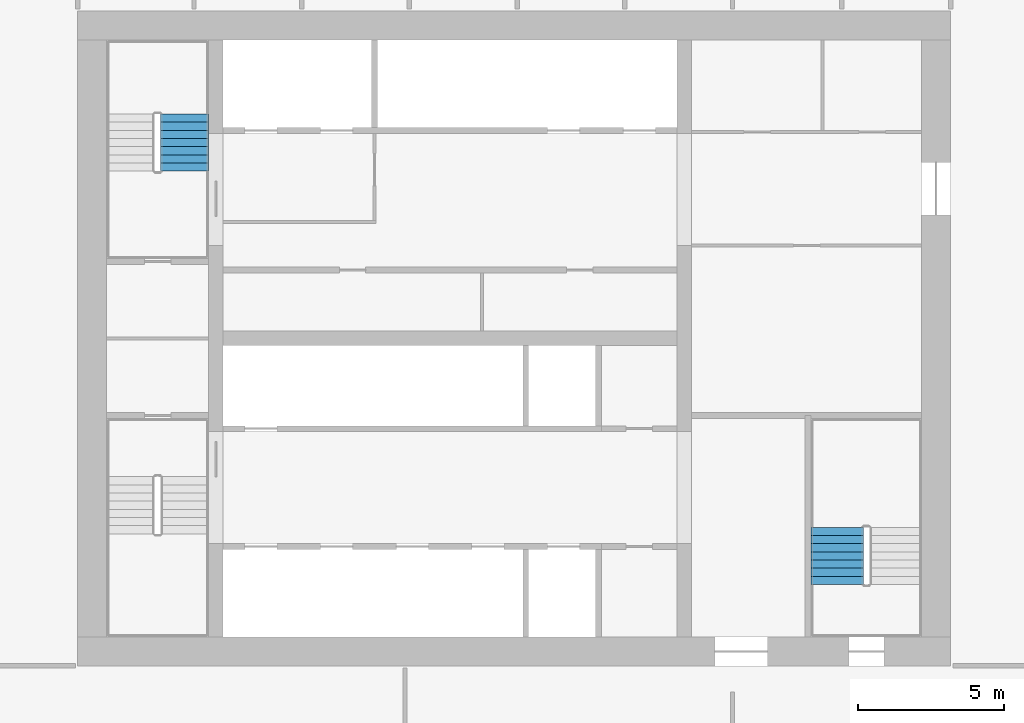
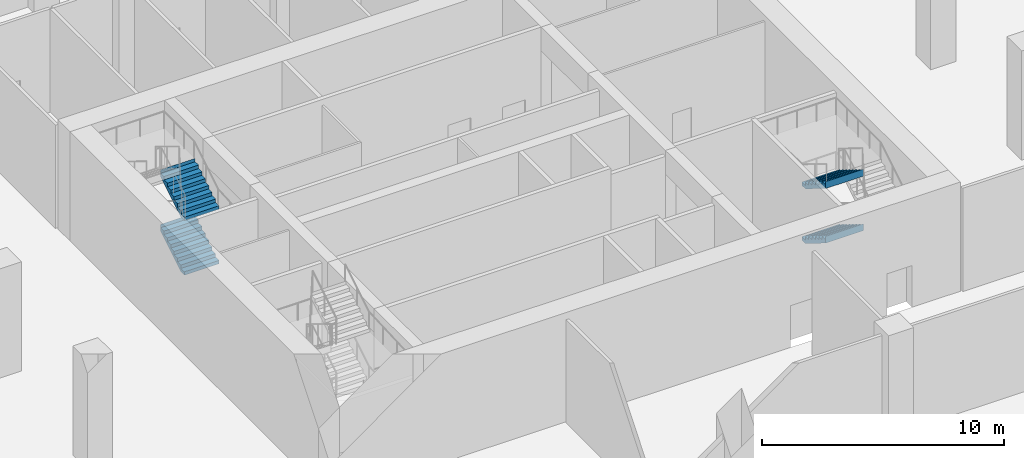
# One storey, part 15 of 25: 4 stair flights, 2 elements without a shape of their own.
"""IFC4 building model written with IfcOpenShell, lengths in metres."""

from ifc_helpers import new_model, si_unit, direction, frame, origin, place, context, subcontext, project, spatial, polyline, outline, extrude, material, type_object, element, aggregate, save


model = new_model("IFC4")

# Units and contexts
model_context = context("Model", 3, precision=1e-05, world=origin(), true_north=direction((0.0, 1.0)))
body_context = subcontext(model_context, "Body", "Model", "MODEL_VIEW")
ifc_project = project(units=[si_unit("LENGTHUNIT", "METRE"), si_unit("AREAUNIT", "SQUARE_METRE"), si_unit("VOLUMEUNIT", "CUBIC_METRE"), si_unit("PLANEANGLEUNIT", "RADIAN"), si_unit("MASSUNIT", "GRAM", prefix="KILO")], contexts=[model_context])

# Site, building, storey
site_placement = place(None, origin())
site = spatial("IfcSite", under=ifc_project, at=site_placement, CompositionType="ELEMENT")
building_placement = place(site_placement, origin())
building = spatial("IfcBuilding", under=site, at=building_placement, Name="Tamorin Gate", CompositionType="ELEMENT")
storey_placement = place(building_placement, frame((0.0, 0.0, 23.5)))
storey = spatial("IfcBuildingStorey", under=building, at=storey_placement, Name="L04", CompositionType="ELEMENT", Elevation=23.5)

# Stair, stair flights
ifc_material = material(Name="Concrete C40/50", Category="concrete")
stair_type = type_object("IfcStairType", Name="Exit stair", PredefinedType="HALF_TURN_STAIR", material=ifc_material)
stair_1_placement = place(storey_placement, origin())
stair_1 = element("IfcStair", 1, at=stair_1_placement, inside=storey, type_object=stair_type, Name="L04 stair ST2", PredefinedType="HALF_TURN_STAIR")
stair_flight_type = type_object("IfcStairFlightType", Name="Exit stair flight", PredefinedType="STRAIGHT", material=ifc_material)
stair_flight_1_placement = place(storey_placement, frame((33.675048828125, 77.0, 0.0), z_axis=(0.0, 0.0, 1.0), x_axis=(0.0, 1.0, 0.0)))
stair_flight_1 = element("IfcStairFlight", 2, at=stair_flight_1_placement, type_object=stair_flight_type, Name="ST2 flight 1", NumberOfRisers=8, NumberOfTreads=7, PredefinedType="STRAIGHT", RiserHeight=0.171875, TreadLength=0.28, context=body_context, shape_type="SweptSolid", body=[
    extrude(outline(polyline([(-0.00048828125, 0.0), (-0.00048828125, 0.001708984375), (-0.00048828125, 0.00341796875), (-0.00048828125, 0.005126953125), (-0.00048828125, 0.0068359375), (-0.00048828125, 0.008544921875), (-0.00048828125, 0.01025390625), (-0.00048828125, 0.011962890625), (-0.00048828125, 0.013671875), (-0.00048828125, 0.015380859375), (-0.00048828125, 0.01708984375), (-0.00048828125, 0.018798828125), (-0.00048828125, 0.0205078125), (-0.00048828125, 0.022216796875), (-0.00048828125, 0.02392578125), (-0.00048828125, 0.025634765625), (-0.00048828125, 0.02734375), (-0.00048828125, 0.02880859375), (-0.00048828125, 0.030517578125), (-0.00048828125, 0.0322265625), (-0.00048828125, 0.033935546875), (-0.00048828125, 0.03564453125), (-0.00048828125, 0.037353515625), (-0.00048828125, 0.0390625), (-0.00048828125, 0.040771484375), (-0.00048828125, 0.04248046875), (-0.00048828125, 0.044189453125), (-0.00048828125, 0.0458984375), (-0.00048828125, 0.047607421875), (-0.00048828125, 0.04931640625), (-0.00048828125, 0.051025390625), (-0.00048828125, 0.052734375), (-0.00048828125, 0.054443359375), (-0.00048828125, 0.05615234375), (-0.00048828125, 0.057861328125), (-0.00048828125, 0.0595703125), (-0.00048828125, 0.061279296875), (-0.00048828125, 0.06298828125), (-0.00048828125, 0.064697265625), (-0.00048828125, 0.06640625), (-0.00048828125, 0.068115234375), (-0.00048828125, 0.06982421875), (-0.00048828125, 0.071533203125), (-0.00048828125, 0.0732421875), (-0.00048828125, 0.074951171875), (-0.00048828125, 0.07666015625), (-0.00048828125, 0.078369140625), (-0.00048828125, 0.080078125), (-0.00048828125, 0.081787109375), (-0.00048828125, 0.08349609375), (-0.00048828125, 0.085205078125), (-0.00048828125, 0.086669921875), (-0.00048828125, 0.08837890625), (-0.00048828125, 0.090087890625), (-0.00048828125, 0.091796875), (-0.00048828125, 0.093505859375), (-0.00048828125, 0.09521484375), (-0.00048828125, 0.096923828125), (-0.00048828125, 0.0986328125), (-0.00048828125, 0.100341796875), (-0.00048828125, 0.10205078125), (-0.00048828125, 0.103759765625), (-0.00048828125, 0.10546875), (-0.00048828125, 0.107177734375), (-0.00048828125, 0.10888671875), (-0.00048828125, 0.110595703125), (-0.00048828125, 0.1123046875), (-0.00048828125, 0.114013671875), (-0.00048828125, 0.11572265625), (-0.00048828125, 0.117431640625), (-0.00048828125, 0.119140625), (-0.00048828125, 0.120849609375), (-0.00048828125, 0.12255859375), (-0.00048828125, 0.124267578125), (-0.00048828125, 0.1259765625), (-0.00048828125, 0.127685546875), (-0.00048828125, 0.12939453125), (-0.00048828125, 0.131103515625), (-0.00048828125, 0.1328125), (-0.00048828125, 0.134521484375), (-0.00048828125, 0.13623046875), (-0.00048828125, 0.137939453125), (-0.00048828125, 0.1396484375), (-0.00048828125, 0.141357421875), (-0.00048828125, 0.14306640625), (-0.00048828125, 0.14453125), (-0.00048828125, 0.146240234375), (-0.00048828125, 0.14794921875), (-0.00048828125, 0.149658203125), (-0.00048828125, 0.1513671875), (-0.00048828125, 0.153076171875), (-0.00048828125, 0.15478515625), (-0.00048828125, 0.156494140625), (-0.00048828125, 0.158203125), (-0.00048828125, 0.159912109375), (-0.00048828125, 0.16162109375), (-0.00048828125, 0.163330078125), (-0.00048828125, 0.1650390625), (-0.00048828125, 0.166748046875), (-0.00048828125, 0.16845703125), (-0.00048828125, 0.170166015625), (-0.00048828125, 0.171875), (0.280029296875, 0.171875), (0.280029296875, 0.34375), (0.56005859375, 0.34375), (0.56005859375, 0.515625), (0.840087890625, 0.515625), (0.840087890625, 0.6875), (1.1201171875, 0.6875), (1.1201171875, 0.859375), (1.39990234375, 0.859375), (1.39990234375, 1.03125), (1.679931640625, 1.03125), (1.679931640625, 1.203125), (1.9599609375, 1.203125), (1.9599609375, 1.375), (1.96044921875, 1.375), (1.96044921875, 1.37158203125), (1.96044921875, 1.3681640625), (1.96044921875, 1.36474609375), (1.96044921875, 1.361328125), (1.96044921875, 1.357666015625), (1.96044921875, 1.354248046875), (1.96044921875, 1.350830078125), (1.96044921875, 1.347412109375), (1.96044921875, 1.343994140625), (1.96044921875, 1.340576171875), (1.96044921875, 1.337158203125), (1.96044921875, 1.333740234375), (1.96044921875, 1.330322265625), (1.96044921875, 1.326904296875), (1.96044921875, 1.3232421875), (1.96044921875, 1.31982421875), (1.96044921875, 1.31640625), (1.96044921875, 1.31298828125), (1.96044921875, 1.3095703125), (1.96044921875, 1.30615234375), (1.96044921875, 1.302734375), (1.96044921875, 1.29931640625), (1.96044921875, 1.2958984375), (1.96044921875, 1.29248046875), (1.96044921875, 1.288818359375), (1.96044921875, 1.285400390625), (1.96044921875, 1.281982421875), (1.96044921875, 1.278564453125), (1.96044921875, 1.275146484375), (1.96044921875, 1.271728515625), (1.96044921875, 1.268310546875), (1.96044921875, 1.264892578125), (1.96044921875, 1.261474609375), (1.96044921875, 1.2578125), (1.96044921875, 1.25439453125), (1.96044921875, 1.2509765625), (1.96044921875, 1.24755859375), (1.96044921875, 1.244140625), (1.96044921875, 1.24072265625), (1.96044921875, 1.2373046875), (1.96044921875, 1.23388671875), (1.96044921875, 1.23046875), (1.96044921875, 1.22705078125), (1.96044921875, 1.223388671875), (1.96044921875, 1.219970703125), (1.96044921875, 1.216552734375), (1.96044921875, 1.213134765625), (1.96044921875, 1.209716796875), (1.96044921875, 1.206298828125), (1.96044921875, 1.202880859375), (1.96044921875, 1.199462890625), (1.96044921875, 1.196044921875), (1.96044921875, 1.192626953125), (1.96044921875, 1.18896484375), (1.96044921875, 1.185546875), (1.96044921875, 1.18212890625), (1.96044921875, 1.1787109375), (1.96044921875, 1.17529296875), (1.96044921875, 1.171875), (1.96044921875, 1.16845703125), (1.96044921875, 1.1650390625), (1.96044921875, 1.16162109375), (1.96044921875, 1.157958984375), (1.96044921875, 1.154541015625), (1.96044921875, 1.151123046875), (1.96044921875, 1.147705078125), (1.96044921875, 1.144287109375), (1.96044921875, 1.140869140625), (1.96044921875, 1.137451171875), (1.96044921875, 1.134033203125), (1.96044921875, 1.130615234375), (1.96044921875, 1.127197265625), (1.96044921875, 1.12353515625), (1.96044921875, 1.1201171875), (1.96044921875, 1.11669921875), (1.96044921875, 1.11328125), (1.96044921875, 1.10986328125), (1.96044921875, 1.1064453125), (1.96044921875, 1.10302734375), (1.96044921875, 1.099609375), (1.96044921875, 1.09619140625), (1.96044921875, 1.0927734375), (1.96044921875, 1.089111328125), (1.96044921875, 1.085693359375), (1.96044921875, 1.082275390625), (1.96044921875, 1.078857421875), (1.96044921875, 1.075439453125), (1.96044921875, 1.072021484375), (1.96044921875, 1.068603515625), (1.96044921875, 1.065185546875), (1.96044921875, 1.061767578125), (1.96044921875, 1.05810546875), (1.96044921875, 1.0546875), (1.96044921875, 1.05126953125), (1.96044921875, 1.0478515625), (1.96044921875, 1.04443359375), (1.96044921875, 1.041015625), (1.96044921875, 1.03759765625), (1.96044921875, 1.0341796875), (1.96044921875, 1.03076171875), (1.96044921875, 1.02734375), (1.9599609375, 1.02734375), (0.28662109375, 0.0), (-0.00048828125, 0.0)])), frame((0.0, 0.824951171875, 0.0), z_axis=(0.0, -1.0, 0.0), x_axis=(1.0, 0.0, 0.0)), (0.0, 0.0, 1.0), 1.64990234375),
])
stair_flight_2_placement = place(storey_placement, frame((33.675048828125, 77.0, 2.75), z_axis=(0.0, 0.0, 1.0), x_axis=(0.0, 1.0, 0.0)))
stair_flight_2 = element("IfcStairFlight", 3, at=stair_flight_2_placement, type_object=stair_flight_type, Name="ST2 flight 3", NumberOfRisers=8, NumberOfTreads=7, PredefinedType="STRAIGHT", RiserHeight=0.171875, TreadLength=0.28, context=body_context, shape_type="SweptSolid", body=[
    extrude(outline(polyline([(-0.00048828125, 0.0), (-0.00048828125, 0.001708984375), (-0.00048828125, 0.00341796875), (-0.00048828125, 0.005126953125), (-0.00048828125, 0.0068359375), (-0.00048828125, 0.008544921875), (-0.00048828125, 0.01025390625), (-0.00048828125, 0.011962890625), (-0.00048828125, 0.013671875), (-0.00048828125, 0.015380859375), (-0.00048828125, 0.01708984375), (-0.00048828125, 0.018798828125), (-0.00048828125, 0.0205078125), (-0.00048828125, 0.022216796875), (-0.00048828125, 0.02392578125), (-0.00048828125, 0.025634765625), (-0.00048828125, 0.02734375), (-0.00048828125, 0.02880859375), (-0.00048828125, 0.030517578125), (-0.00048828125, 0.0322265625), (-0.00048828125, 0.033935546875), (-0.00048828125, 0.03564453125), (-0.00048828125, 0.037353515625), (-0.00048828125, 0.0390625), (-0.00048828125, 0.040771484375), (-0.00048828125, 0.04248046875), (-0.00048828125, 0.044189453125), (-0.00048828125, 0.0458984375), (-0.00048828125, 0.047607421875), (-0.00048828125, 0.04931640625), (-0.00048828125, 0.051025390625), (-0.00048828125, 0.052734375), (-0.00048828125, 0.054443359375), (-0.00048828125, 0.05615234375), (-0.00048828125, 0.057861328125), (-0.00048828125, 0.0595703125), (-0.00048828125, 0.061279296875), (-0.00048828125, 0.06298828125), (-0.00048828125, 0.064697265625), (-0.00048828125, 0.06640625), (-0.00048828125, 0.068115234375), (-0.00048828125, 0.06982421875), (-0.00048828125, 0.071533203125), (-0.00048828125, 0.0732421875), (-0.00048828125, 0.074951171875), (-0.00048828125, 0.07666015625), (-0.00048828125, 0.078369140625), (-0.00048828125, 0.080078125), (-0.00048828125, 0.081787109375), (-0.00048828125, 0.08349609375), (-0.00048828125, 0.085205078125), (-0.00048828125, 0.086669921875), (-0.00048828125, 0.08837890625), (-0.00048828125, 0.090087890625), (-0.00048828125, 0.091796875), (-0.00048828125, 0.093505859375), (-0.00048828125, 0.09521484375), (-0.00048828125, 0.096923828125), (-0.00048828125, 0.0986328125), (-0.00048828125, 0.100341796875), (-0.00048828125, 0.10205078125), (-0.00048828125, 0.103759765625), (-0.00048828125, 0.10546875), (-0.00048828125, 0.107177734375), (-0.00048828125, 0.10888671875), (-0.00048828125, 0.110595703125), (-0.00048828125, 0.1123046875), (-0.00048828125, 0.114013671875), (-0.00048828125, 0.11572265625), (-0.00048828125, 0.117431640625), (-0.00048828125, 0.119140625), (-0.00048828125, 0.120849609375), (-0.00048828125, 0.12255859375), (-0.00048828125, 0.124267578125), (-0.00048828125, 0.1259765625), (-0.00048828125, 0.127685546875), (-0.00048828125, 0.12939453125), (-0.00048828125, 0.131103515625), (-0.00048828125, 0.1328125), (-0.00048828125, 0.134521484375), (-0.00048828125, 0.13623046875), (-0.00048828125, 0.137939453125), (-0.00048828125, 0.1396484375), (-0.00048828125, 0.141357421875), (-0.00048828125, 0.14306640625), (-0.00048828125, 0.14453125), (-0.00048828125, 0.146240234375), (-0.00048828125, 0.14794921875), (-0.00048828125, 0.149658203125), (-0.00048828125, 0.1513671875), (-0.00048828125, 0.153076171875), (-0.00048828125, 0.15478515625), (-0.00048828125, 0.156494140625), (-0.00048828125, 0.158203125), (-0.00048828125, 0.159912109375), (-0.00048828125, 0.16162109375), (-0.00048828125, 0.163330078125), (-0.00048828125, 0.1650390625), (-0.00048828125, 0.166748046875), (-0.00048828125, 0.16845703125), (-0.00048828125, 0.170166015625), (-0.00048828125, 0.171875), (0.280029296875, 0.171875), (0.280029296875, 0.34375), (0.56005859375, 0.34375), (0.56005859375, 0.515625), (0.840087890625, 0.515625), (0.840087890625, 0.6875), (1.1201171875, 0.6875), (1.1201171875, 0.859375), (1.39990234375, 0.859375), (1.39990234375, 1.03125), (1.679931640625, 1.03125), (1.679931640625, 1.203125), (1.9599609375, 1.203125), (1.9599609375, 1.375), (1.96044921875, 1.375), (1.96044921875, 1.37158203125), (1.96044921875, 1.3681640625), (1.96044921875, 1.36474609375), (1.96044921875, 1.361328125), (1.96044921875, 1.357666015625), (1.96044921875, 1.354248046875), (1.96044921875, 1.350830078125), (1.96044921875, 1.347412109375), (1.96044921875, 1.343994140625), (1.96044921875, 1.340576171875), (1.96044921875, 1.337158203125), (1.96044921875, 1.333740234375), (1.96044921875, 1.330322265625), (1.96044921875, 1.326904296875), (1.96044921875, 1.3232421875), (1.96044921875, 1.31982421875), (1.96044921875, 1.31640625), (1.96044921875, 1.31298828125), (1.96044921875, 1.3095703125), (1.96044921875, 1.30615234375), (1.96044921875, 1.302734375), (1.96044921875, 1.29931640625), (1.96044921875, 1.2958984375), (1.96044921875, 1.29248046875), (1.96044921875, 1.288818359375), (1.96044921875, 1.285400390625), (1.96044921875, 1.281982421875), (1.96044921875, 1.278564453125), (1.96044921875, 1.275146484375), (1.96044921875, 1.271728515625), (1.96044921875, 1.268310546875), (1.96044921875, 1.264892578125), (1.96044921875, 1.261474609375), (1.96044921875, 1.2578125), (1.96044921875, 1.25439453125), (1.96044921875, 1.2509765625), (1.96044921875, 1.24755859375), (1.96044921875, 1.244140625), (1.96044921875, 1.24072265625), (1.96044921875, 1.2373046875), (1.96044921875, 1.23388671875), (1.96044921875, 1.23046875), (1.96044921875, 1.22705078125), (1.96044921875, 1.223388671875), (1.96044921875, 1.219970703125), (1.96044921875, 1.216552734375), (1.96044921875, 1.213134765625), (1.96044921875, 1.209716796875), (1.96044921875, 1.206298828125), (1.96044921875, 1.202880859375), (1.96044921875, 1.199462890625), (1.96044921875, 1.196044921875), (1.96044921875, 1.192626953125), (1.96044921875, 1.18896484375), (1.96044921875, 1.185546875), (1.96044921875, 1.18212890625), (1.96044921875, 1.1787109375), (1.96044921875, 1.17529296875), (1.96044921875, 1.171875), (1.96044921875, 1.16845703125), (1.96044921875, 1.1650390625), (1.96044921875, 1.16162109375), (1.96044921875, 1.157958984375), (1.96044921875, 1.154541015625), (1.96044921875, 1.151123046875), (1.96044921875, 1.147705078125), (1.96044921875, 1.144287109375), (1.96044921875, 1.140869140625), (1.96044921875, 1.137451171875), (1.96044921875, 1.134033203125), (1.96044921875, 1.130615234375), (1.96044921875, 1.127197265625), (1.96044921875, 1.12353515625), (1.96044921875, 1.1201171875), (1.96044921875, 1.11669921875), (1.96044921875, 1.11328125), (1.96044921875, 1.10986328125), (1.96044921875, 1.1064453125), (1.96044921875, 1.10302734375), (1.96044921875, 1.099609375), (1.96044921875, 1.09619140625), (1.96044921875, 1.0927734375), (1.96044921875, 1.089111328125), (1.96044921875, 1.085693359375), (1.96044921875, 1.082275390625), (1.96044921875, 1.078857421875), (1.96044921875, 1.075439453125), (1.96044921875, 1.072021484375), (1.96044921875, 1.068603515625), (1.96044921875, 1.065185546875), (1.96044921875, 1.061767578125), (1.96044921875, 1.05810546875), (1.96044921875, 1.0546875), (1.96044921875, 1.05126953125), (1.96044921875, 1.0478515625), (1.96044921875, 1.04443359375), (1.96044921875, 1.041015625), (1.96044921875, 1.03759765625), (1.96044921875, 1.0341796875), (1.96044921875, 1.03076171875), (1.96044921875, 1.02734375), (1.9599609375, 1.02734375), (0.28662109375, 0.0), (-0.00048828125, 0.0)])), frame((0.0, 0.824951171875, 0.0), z_axis=(0.0, -1.0, 0.0), x_axis=(1.0, 0.0, 0.0)), (0.0, 0.0, 1.0), 1.64990234375),
])
aggregate(stair_1, [stair_flight_1, stair_flight_2])

stair_2_placement = place(storey_placement, origin())
stair_2 = element("IfcStair", 4, at=stair_2_placement, inside=storey, type_object=stair_type, Name="L04 stair ST3", PredefinedType="HALF_TURN_STAIR")
stair_flight_3_placement = place(storey_placement, frame((56.10009765625, 64.760009765625, 1.375), z_axis=(0.0, 0.0, 1.0), x_axis=(0.0, -1.0, 0.0)))
stair_flight_3 = element("IfcStairFlight", 5, at=stair_flight_3_placement, type_object=stair_flight_type, Name="ST3 flight 2", NumberOfRisers=8, NumberOfTreads=7, PredefinedType="STRAIGHT", RiserHeight=0.171875, TreadLength=0.28, context=body_context, shape_type="SweptSolid", body=[
    extrude(outline(polyline([(-0.00048828125, 0.0), (-0.00048828125, 0.001708984375), (-0.00048828125, 0.00341796875), (-0.00048828125, 0.005126953125), (-0.00048828125, 0.0068359375), (-0.00048828125, 0.008544921875), (-0.00048828125, 0.01025390625), (-0.00048828125, 0.011962890625), (-0.00048828125, 0.013671875), (-0.00048828125, 0.015380859375), (-0.00048828125, 0.01708984375), (-0.00048828125, 0.018798828125), (-0.00048828125, 0.0205078125), (-0.00048828125, 0.022216796875), (-0.00048828125, 0.02392578125), (-0.00048828125, 0.025634765625), (-0.00048828125, 0.02734375), (-0.00048828125, 0.02880859375), (-0.00048828125, 0.030517578125), (-0.00048828125, 0.0322265625), (-0.00048828125, 0.033935546875), (-0.00048828125, 0.03564453125), (-0.00048828125, 0.037353515625), (-0.00048828125, 0.0390625), (-0.00048828125, 0.040771484375), (-0.00048828125, 0.04248046875), (-0.00048828125, 0.044189453125), (-0.00048828125, 0.0458984375), (-0.00048828125, 0.047607421875), (-0.00048828125, 0.04931640625), (-0.00048828125, 0.051025390625), (-0.00048828125, 0.052734375), (-0.00048828125, 0.054443359375), (-0.00048828125, 0.05615234375), (-0.00048828125, 0.057861328125), (-0.00048828125, 0.0595703125), (-0.00048828125, 0.061279296875), (-0.00048828125, 0.06298828125), (-0.00048828125, 0.064697265625), (-0.00048828125, 0.06640625), (-0.00048828125, 0.068115234375), (-0.00048828125, 0.06982421875), (-0.00048828125, 0.071533203125), (-0.00048828125, 0.0732421875), (-0.00048828125, 0.074951171875), (-0.00048828125, 0.07666015625), (-0.00048828125, 0.078369140625), (-0.00048828125, 0.080078125), (-0.00048828125, 0.081787109375), (-0.00048828125, 0.08349609375), (-0.00048828125, 0.085205078125), (-0.00048828125, 0.086669921875), (-0.00048828125, 0.08837890625), (-0.00048828125, 0.090087890625), (-0.00048828125, 0.091796875), (-0.00048828125, 0.093505859375), (-0.00048828125, 0.09521484375), (-0.00048828125, 0.096923828125), (-0.00048828125, 0.0986328125), (-0.00048828125, 0.100341796875), (-0.00048828125, 0.10205078125), (-0.00048828125, 0.103759765625), (-0.00048828125, 0.10546875), (-0.00048828125, 0.107177734375), (-0.00048828125, 0.10888671875), (-0.00048828125, 0.110595703125), (-0.00048828125, 0.1123046875), (-0.00048828125, 0.114013671875), (-0.00048828125, 0.11572265625), (-0.00048828125, 0.117431640625), (-0.00048828125, 0.119140625), (-0.00048828125, 0.120849609375), (-0.00048828125, 0.12255859375), (-0.00048828125, 0.124267578125), (-0.00048828125, 0.1259765625), (-0.00048828125, 0.127685546875), (-0.00048828125, 0.12939453125), (-0.00048828125, 0.131103515625), (-0.00048828125, 0.1328125), (-0.00048828125, 0.134521484375), (-0.00048828125, 0.13623046875), (-0.00048828125, 0.137939453125), (-0.00048828125, 0.1396484375), (-0.00048828125, 0.141357421875), (-0.00048828125, 0.14306640625), (-0.00048828125, 0.14453125), (-0.00048828125, 0.146240234375), (-0.00048828125, 0.14794921875), (-0.00048828125, 0.149658203125), (-0.00048828125, 0.1513671875), (-0.00048828125, 0.153076171875), (-0.00048828125, 0.15478515625), (-0.00048828125, 0.156494140625), (-0.00048828125, 0.158203125), (-0.00048828125, 0.159912109375), (-0.00048828125, 0.16162109375), (-0.00048828125, 0.163330078125), (-0.00048828125, 0.1650390625), (-0.00048828125, 0.166748046875), (-0.00048828125, 0.16845703125), (-0.00048828125, 0.170166015625), (-0.00048828125, 0.171875), (0.280029296875, 0.171875), (0.280029296875, 0.34375), (0.56005859375, 0.34375), (0.56005859375, 0.515625), (0.840087890625, 0.515625), (0.840087890625, 0.6875), (1.1201171875, 0.6875), (1.1201171875, 0.859375), (1.39990234375, 0.859375), (1.39990234375, 1.03125), (1.679931640625, 1.03125), (1.679931640625, 1.203125), (1.9599609375, 1.203125), (1.9599609375, 1.375), (1.96044921875, 1.375), (1.96044921875, 1.37158203125), (1.96044921875, 1.3681640625), (1.96044921875, 1.36474609375), (1.96044921875, 1.361328125), (1.96044921875, 1.357666015625), (1.96044921875, 1.354248046875), (1.96044921875, 1.350830078125), (1.96044921875, 1.347412109375), (1.96044921875, 1.343994140625), (1.96044921875, 1.340576171875), (1.96044921875, 1.337158203125), (1.96044921875, 1.333740234375), (1.96044921875, 1.330322265625), (1.96044921875, 1.326904296875), (1.96044921875, 1.3232421875), (1.96044921875, 1.31982421875), (1.96044921875, 1.31640625), (1.96044921875, 1.31298828125), (1.96044921875, 1.3095703125), (1.96044921875, 1.30615234375), (1.96044921875, 1.302734375), (1.96044921875, 1.29931640625), (1.96044921875, 1.2958984375), (1.96044921875, 1.29248046875), (1.96044921875, 1.288818359375), (1.96044921875, 1.285400390625), (1.96044921875, 1.281982421875), (1.96044921875, 1.278564453125), (1.96044921875, 1.275146484375), (1.96044921875, 1.271728515625), (1.96044921875, 1.268310546875), (1.96044921875, 1.264892578125), (1.96044921875, 1.261474609375), (1.96044921875, 1.2578125), (1.96044921875, 1.25439453125), (1.96044921875, 1.2509765625), (1.96044921875, 1.24755859375), (1.96044921875, 1.244140625), (1.96044921875, 1.24072265625), (1.96044921875, 1.2373046875), (1.96044921875, 1.23388671875), (1.96044921875, 1.23046875), (1.96044921875, 1.22705078125), (1.96044921875, 1.223388671875), (1.96044921875, 1.219970703125), (1.96044921875, 1.216552734375), (1.96044921875, 1.213134765625), (1.96044921875, 1.209716796875), (1.96044921875, 1.206298828125), (1.96044921875, 1.202880859375), (1.96044921875, 1.199462890625), (1.96044921875, 1.196044921875), (1.96044921875, 1.192626953125), (1.96044921875, 1.18896484375), (1.96044921875, 1.185546875), (1.96044921875, 1.18212890625), (1.96044921875, 1.1787109375), (1.96044921875, 1.17529296875), (1.96044921875, 1.171875), (1.96044921875, 1.16845703125), (1.96044921875, 1.1650390625), (1.96044921875, 1.16162109375), (1.96044921875, 1.157958984375), (1.96044921875, 1.154541015625), (1.96044921875, 1.151123046875), (1.96044921875, 1.147705078125), (1.96044921875, 1.144287109375), (1.96044921875, 1.140869140625), (1.96044921875, 1.137451171875), (1.96044921875, 1.134033203125), (1.96044921875, 1.130615234375), (1.96044921875, 1.127197265625), (1.96044921875, 1.12353515625), (1.96044921875, 1.1201171875), (1.96044921875, 1.11669921875), (1.96044921875, 1.11328125), (1.96044921875, 1.10986328125), (1.96044921875, 1.1064453125), (1.96044921875, 1.10302734375), (1.96044921875, 1.099609375), (1.96044921875, 1.09619140625), (1.96044921875, 1.0927734375), (1.96044921875, 1.089111328125), (1.96044921875, 1.085693359375), (1.96044921875, 1.082275390625), (1.96044921875, 1.078857421875), (1.96044921875, 1.075439453125), (1.96044921875, 1.072021484375), (1.96044921875, 1.068603515625), (1.96044921875, 1.065185546875), (1.96044921875, 1.061767578125), (1.96044921875, 1.05810546875), (1.96044921875, 1.0546875), (1.96044921875, 1.05126953125), (1.96044921875, 1.0478515625), (1.96044921875, 1.04443359375), (1.96044921875, 1.041015625), (1.96044921875, 1.03759765625), (1.96044921875, 1.0341796875), (1.96044921875, 1.03076171875), (1.96044921875, 1.02734375), (1.9599609375, 1.02734375), (0.28662109375, 0.0), (-0.00048828125, 0.0)])), frame((0.0, 0.89990234375, 0.0), z_axis=(0.0, -1.0, 0.0), x_axis=(1.0, 0.0, 0.0)), (0.0, 0.0, 1.0), 1.800048828125),
])
stair_flight_4_placement = place(storey_placement, frame((56.10009765625, 64.760009765625, 4.125), z_axis=(0.0, 0.0, 1.0), x_axis=(0.0, -1.0, 0.0)))
stair_flight_4 = element("IfcStairFlight", 6, at=stair_flight_4_placement, type_object=stair_flight_type, Name="ST3 flight 4", NumberOfRisers=8, NumberOfTreads=7, PredefinedType="STRAIGHT", RiserHeight=0.171875, TreadLength=0.28, context=body_context, shape_type="SweptSolid", body=[
    extrude(outline(polyline([(-0.00048828125, 0.0), (-0.00048828125, 0.001708984375), (-0.00048828125, 0.00341796875), (-0.00048828125, 0.005126953125), (-0.00048828125, 0.0068359375), (-0.00048828125, 0.008544921875), (-0.00048828125, 0.01025390625), (-0.00048828125, 0.011962890625), (-0.00048828125, 0.013671875), (-0.00048828125, 0.015380859375), (-0.00048828125, 0.01708984375), (-0.00048828125, 0.018798828125), (-0.00048828125, 0.0205078125), (-0.00048828125, 0.022216796875), (-0.00048828125, 0.02392578125), (-0.00048828125, 0.025634765625), (-0.00048828125, 0.02734375), (-0.00048828125, 0.02880859375), (-0.00048828125, 0.030517578125), (-0.00048828125, 0.0322265625), (-0.00048828125, 0.033935546875), (-0.00048828125, 0.03564453125), (-0.00048828125, 0.037353515625), (-0.00048828125, 0.0390625), (-0.00048828125, 0.040771484375), (-0.00048828125, 0.04248046875), (-0.00048828125, 0.044189453125), (-0.00048828125, 0.0458984375), (-0.00048828125, 0.047607421875), (-0.00048828125, 0.04931640625), (-0.00048828125, 0.051025390625), (-0.00048828125, 0.052734375), (-0.00048828125, 0.054443359375), (-0.00048828125, 0.05615234375), (-0.00048828125, 0.057861328125), (-0.00048828125, 0.0595703125), (-0.00048828125, 0.061279296875), (-0.00048828125, 0.06298828125), (-0.00048828125, 0.064697265625), (-0.00048828125, 0.06640625), (-0.00048828125, 0.068115234375), (-0.00048828125, 0.06982421875), (-0.00048828125, 0.071533203125), (-0.00048828125, 0.0732421875), (-0.00048828125, 0.074951171875), (-0.00048828125, 0.07666015625), (-0.00048828125, 0.078369140625), (-0.00048828125, 0.080078125), (-0.00048828125, 0.081787109375), (-0.00048828125, 0.08349609375), (-0.00048828125, 0.085205078125), (-0.00048828125, 0.086669921875), (-0.00048828125, 0.08837890625), (-0.00048828125, 0.090087890625), (-0.00048828125, 0.091796875), (-0.00048828125, 0.093505859375), (-0.00048828125, 0.09521484375), (-0.00048828125, 0.096923828125), (-0.00048828125, 0.0986328125), (-0.00048828125, 0.100341796875), (-0.00048828125, 0.10205078125), (-0.00048828125, 0.103759765625), (-0.00048828125, 0.10546875), (-0.00048828125, 0.107177734375), (-0.00048828125, 0.10888671875), (-0.00048828125, 0.110595703125), (-0.00048828125, 0.1123046875), (-0.00048828125, 0.114013671875), (-0.00048828125, 0.11572265625), (-0.00048828125, 0.117431640625), (-0.00048828125, 0.119140625), (-0.00048828125, 0.120849609375), (-0.00048828125, 0.12255859375), (-0.00048828125, 0.124267578125), (-0.00048828125, 0.1259765625), (-0.00048828125, 0.127685546875), (-0.00048828125, 0.12939453125), (-0.00048828125, 0.131103515625), (-0.00048828125, 0.1328125), (-0.00048828125, 0.134521484375), (-0.00048828125, 0.13623046875), (-0.00048828125, 0.137939453125), (-0.00048828125, 0.1396484375), (-0.00048828125, 0.141357421875), (-0.00048828125, 0.14306640625), (-0.00048828125, 0.14453125), (-0.00048828125, 0.146240234375), (-0.00048828125, 0.14794921875), (-0.00048828125, 0.149658203125), (-0.00048828125, 0.1513671875), (-0.00048828125, 0.153076171875), (-0.00048828125, 0.15478515625), (-0.00048828125, 0.156494140625), (-0.00048828125, 0.158203125), (-0.00048828125, 0.159912109375), (-0.00048828125, 0.16162109375), (-0.00048828125, 0.163330078125), (-0.00048828125, 0.1650390625), (-0.00048828125, 0.166748046875), (-0.00048828125, 0.16845703125), (-0.00048828125, 0.170166015625), (-0.00048828125, 0.171875), (0.280029296875, 0.171875), (0.280029296875, 0.34375), (0.56005859375, 0.34375), (0.56005859375, 0.515625), (0.840087890625, 0.515625), (0.840087890625, 0.6875), (1.1201171875, 0.6875), (1.1201171875, 0.859375), (1.39990234375, 0.859375), (1.39990234375, 1.03125), (1.679931640625, 1.03125), (1.679931640625, 1.203125), (1.9599609375, 1.203125), (1.9599609375, 1.375), (1.96044921875, 1.375), (1.96044921875, 1.37158203125), (1.96044921875, 1.3681640625), (1.96044921875, 1.36474609375), (1.96044921875, 1.361328125), (1.96044921875, 1.357666015625), (1.96044921875, 1.354248046875), (1.96044921875, 1.350830078125), (1.96044921875, 1.347412109375), (1.96044921875, 1.343994140625), (1.96044921875, 1.340576171875), (1.96044921875, 1.337158203125), (1.96044921875, 1.333740234375), (1.96044921875, 1.330322265625), (1.96044921875, 1.326904296875), (1.96044921875, 1.3232421875), (1.96044921875, 1.31982421875), (1.96044921875, 1.31640625), (1.96044921875, 1.31298828125), (1.96044921875, 1.3095703125), (1.96044921875, 1.30615234375), (1.96044921875, 1.302734375), (1.96044921875, 1.29931640625), (1.96044921875, 1.2958984375), (1.96044921875, 1.29248046875), (1.96044921875, 1.288818359375), (1.96044921875, 1.285400390625), (1.96044921875, 1.281982421875), (1.96044921875, 1.278564453125), (1.96044921875, 1.275146484375), (1.96044921875, 1.271728515625), (1.96044921875, 1.268310546875), (1.96044921875, 1.264892578125), (1.96044921875, 1.261474609375), (1.96044921875, 1.2578125), (1.96044921875, 1.25439453125), (1.96044921875, 1.2509765625), (1.96044921875, 1.24755859375), (1.96044921875, 1.244140625), (1.96044921875, 1.24072265625), (1.96044921875, 1.2373046875), (1.96044921875, 1.23388671875), (1.96044921875, 1.23046875), (1.96044921875, 1.22705078125), (1.96044921875, 1.223388671875), (1.96044921875, 1.219970703125), (1.96044921875, 1.216552734375), (1.96044921875, 1.213134765625), (1.96044921875, 1.209716796875), (1.96044921875, 1.206298828125), (1.96044921875, 1.202880859375), (1.96044921875, 1.199462890625), (1.96044921875, 1.196044921875), (1.96044921875, 1.192626953125), (1.96044921875, 1.18896484375), (1.96044921875, 1.185546875), (1.96044921875, 1.18212890625), (1.96044921875, 1.1787109375), (1.96044921875, 1.17529296875), (1.96044921875, 1.171875), (1.96044921875, 1.16845703125), (1.96044921875, 1.1650390625), (1.96044921875, 1.16162109375), (1.96044921875, 1.157958984375), (1.96044921875, 1.154541015625), (1.96044921875, 1.151123046875), (1.96044921875, 1.147705078125), (1.96044921875, 1.144287109375), (1.96044921875, 1.140869140625), (1.96044921875, 1.137451171875), (1.96044921875, 1.134033203125), (1.96044921875, 1.130615234375), (1.96044921875, 1.127197265625), (1.96044921875, 1.12353515625), (1.96044921875, 1.1201171875), (1.96044921875, 1.11669921875), (1.96044921875, 1.11328125), (1.96044921875, 1.10986328125), (1.96044921875, 1.1064453125), (1.96044921875, 1.10302734375), (1.96044921875, 1.099609375), (1.96044921875, 1.09619140625), (1.96044921875, 1.0927734375), (1.96044921875, 1.089111328125), (1.96044921875, 1.085693359375), (1.96044921875, 1.082275390625), (1.96044921875, 1.078857421875), (1.96044921875, 1.075439453125), (1.96044921875, 1.072021484375), (1.96044921875, 1.068603515625), (1.96044921875, 1.065185546875), (1.96044921875, 1.061767578125), (1.96044921875, 1.05810546875), (1.96044921875, 1.0546875), (1.96044921875, 1.05126953125), (1.96044921875, 1.0478515625), (1.96044921875, 1.04443359375), (1.96044921875, 1.041015625), (1.96044921875, 1.03759765625), (1.96044921875, 1.0341796875), (1.96044921875, 1.03076171875), (1.96044921875, 1.02734375), (1.9599609375, 1.02734375), (0.28662109375, 0.0), (-0.00048828125, 0.0)])), frame((0.0, 0.89990234375, 0.0), z_axis=(0.0, -1.0, 0.0), x_axis=(1.0, 0.0, 0.0)), (0.0, 0.0, 1.0), 1.800048828125),
])
aggregate(stair_2, [stair_flight_3, stair_flight_4])

save(model, "model.ifc")
